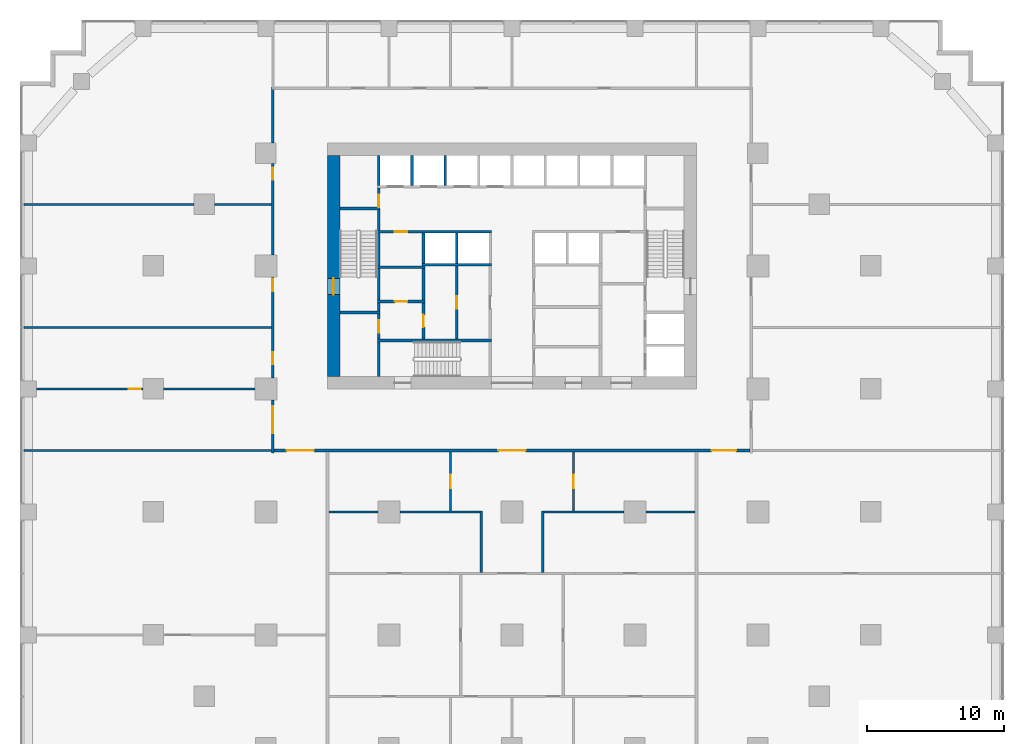
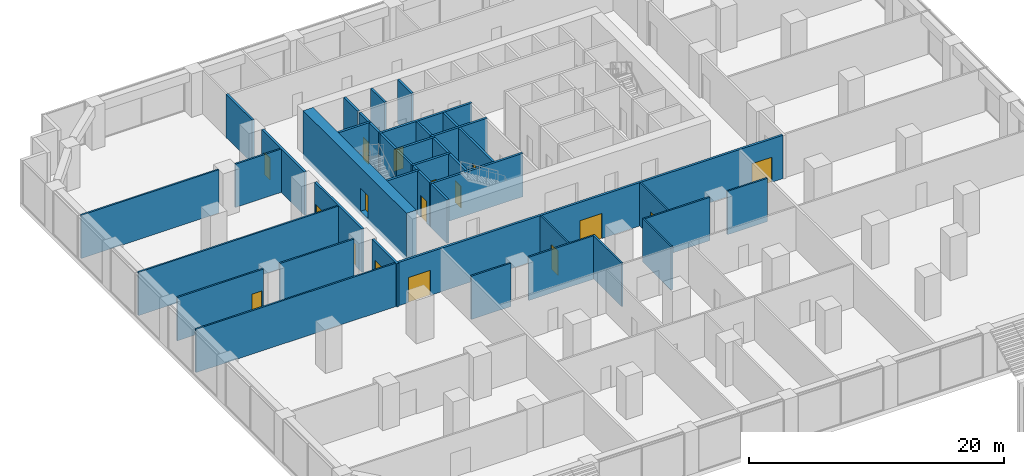
# One storey, part 13 of 18: 42 walls, 17 doors, 17 openings.
"""IFC4 building model written with IfcOpenShell, lengths in metres."""

from ifc_helpers import new_model, si_unit, direction, frame, frame_2d, origin, place, context, subcontext, project, spatial, rectangle, extrude, material, layer, layer_set, type_object, element, fill, save


model = new_model("IFC4")

# Units and contexts
model_context = context("Model", 3, precision=1e-05, world=origin(), true_north=direction((0.0, 1.0)))
body_context = subcontext(model_context, "Body", "Model", "MODEL_VIEW")
ifc_project = project(units=[si_unit("LENGTHUNIT", "METRE"), si_unit("AREAUNIT", "SQUARE_METRE"), si_unit("VOLUMEUNIT", "CUBIC_METRE"), si_unit("PLANEANGLEUNIT", "RADIAN"), si_unit("MASSUNIT", "GRAM", prefix="KILO")], contexts=[model_context])

# Site, building, storey
site_placement = place(None, origin())
site = spatial("IfcSite", under=ifc_project, at=site_placement, CompositionType="ELEMENT")
building_placement = place(site_placement, origin())
building = spatial("IfcBuilding", under=site, at=building_placement, Name="Orbiselva Terraces", CompositionType="ELEMENT")
storey_placement = place(building_placement, frame((0.0, 0.0, 6.0)))
storey = spatial("IfcBuildingStorey", under=building, at=storey_placement, Name="L01", CompositionType="ELEMENT", Elevation=6.0)

# Wall, opening, door
ifc_material_1 = material(Name="Concrete C80/95", Category="concrete")
ifc_layer_1 = layer(ifc_material_1, 0.9)
ifc_layer_set_1 = layer_set([ifc_layer_1], Name="Concrete C80/95")
wall_type_1 = type_object("IfcWallType", Name="CORE WALL 900", PredefinedType="SHEAR", material=ifc_layer_set_1)
wall_1_placement = place(storey_placement, frame((-13.05, 21.6, -0.4), z_axis=(0.0, 0.0, 1.0), x_axis=(0.0, -1.0, 0.0)))
wall_1 = element("IfcWall", 1, at=wall_1_placement, inside=storey, type_object=wall_type_1, Name="Core wall L01 west", PredefinedType="SHEAR", context=body_context, shape_type="SweptSolid", body=[
    extrude(rectangle(XDim=16.2, YDim=0.9, at=frame_2d((8.1, 0.0))), origin(), (0.0, 0.0, 1.0), 4.55),
])
opening_1_placement = place(wall_1_placement, frame((9.0, 0.0, 0.4)))
opening_1 = element("IfcOpeningElement", 2, at=opening_1_placement, cuts=wall_1, Name="Opening DS1200", PredefinedType="OPENING", context=body_context, shape_type="SweptSolid", body=[
    extrude(rectangle(XDim=1.2, YDim=2.2, at=frame_2d((0.6, 1.1))), frame((0.0, 0.46, 0.0), z_axis=(0.0, -1.0, 0.0), x_axis=(1.0, 0.0, 0.0)), (0.0, 0.0, 1.0), 0.92),
])
ifc_material_2 = material(Name="Steel fire door", Category="steel")
door_type_1 = type_object("IfcDoorType", Name="STAIR DOOR 1200", OperationType="NOTDEFINED", PredefinedType="DOOR", material=ifc_material_2)
door_1_placement = place(opening_1_placement, frame((1.2, 0.0, 0.0), z_axis=(0.0, 0.0, 1.0), x_axis=(-1.0, 0.0, 0.0)))
door_1 = element("IfcDoor", 3, at=door_1_placement, inside=storey, type_object=door_type_1, Name="L01 EXIT STAIR S1 door", OperationType="SINGLE_SWING_RIGHT", OverallHeight=2.2, OverallWidth=1.2, PredefinedType="DOOR", context=body_context, shape_type="SweptSolid", body=[
    extrude(rectangle(XDim=1.2, YDim=2.2, at=frame_2d((0.6, 1.1))), frame((0.0, 0.025, 0.0), z_axis=(0.0, -1.0, 0.0), x_axis=(1.0, 0.0, 0.0)), (0.0, 0.0, 1.0), 0.05),
])
fill(opening_1, door_1)

ifc_material_3 = material(Name="Masonry blockwork", Category="masonry")
ifc_layer_2 = layer(ifc_material_3, 0.2)
ifc_layer_set_2 = layer_set([ifc_layer_2], Name="Masonry blockwork")
wall_type_2 = type_object("IfcWallType", Name="CORE-WALL-PARTITION-200", PredefinedType="PARTITIONING", material=ifc_layer_set_2)
wall_2_placement = place(storey_placement, frame((-9.75, 8.15, 0.0), z_axis=(0.0, 0.0, 1.0), x_axis=(0.0, 1.0, 0.0)))
wall_2 = element("IfcWall", 4, at=wall_2_placement, inside=storey, type_object=wall_type_2, Name="L01 core wall 05", PredefinedType="PARTITIONING", context=body_context, shape_type="SweptSolid", body=[
    extrude(rectangle(XDim=1.85, YDim=0.2, at=frame_2d((0.925, 0.0))), origin(), (0.0, 0.0, 1.0), 4.15),
])
opening_2_placement = place(wall_2_placement, frame((0.475, 0.0, 0.0)))
opening_2 = element("IfcOpeningElement", 5, at=opening_2_placement, cuts=wall_2, Name="Opening DR900", PredefinedType="OPENING", context=body_context, shape_type="SweptSolid", body=[
    extrude(rectangle(XDim=0.9, YDim=2.1, at=frame_2d((0.45, 1.05))), frame((0.0, 0.11, 0.0), z_axis=(0.0, -1.0, 0.0), x_axis=(1.0, 0.0, 0.0)), (0.0, 0.0, 1.0), 0.22),
])
door_type_2 = type_object("IfcDoorType", Name="ROOM DOOR 900", OperationType="NOTDEFINED", PredefinedType="DOOR", material=ifc_material_2)
door_2_placement = place(opening_2_placement, origin())
door_2 = element("IfcDoor", 6, at=door_2_placement, inside=storey, type_object=door_type_2, Name="L01 STAFF WC door", OperationType="SINGLE_SWING_RIGHT", OverallHeight=2.1, OverallWidth=0.9, PredefinedType="DOOR", context=body_context, shape_type="SweptSolid", body=[
    extrude(rectangle(XDim=0.9, YDim=2.1, at=frame_2d((0.45, 1.05))), frame((0.0, 0.025, 0.0), z_axis=(0.0, -1.0, 0.0), x_axis=(1.0, 0.0, 0.0)), (0.0, 0.0, 1.0), 0.05),
])
fill(opening_2, door_2)

wall_3_placement = place(storey_placement, frame((-9.75, 17.8, 0.0), z_axis=(0.0, 0.0, 1.0), x_axis=(0.0, 1.0, 0.0)))
wall_3 = element("IfcWall", 7, at=wall_3_placement, inside=storey, type_object=wall_type_2, Name="L01 core wall 13", PredefinedType="PARTITIONING", context=body_context, shape_type="SweptSolid", body=[
    extrude(rectangle(XDim=1.4, YDim=0.2, at=frame_2d((0.7, 0.0))), origin(), (0.0, 0.0, 1.0), 4.15),
])
opening_3_placement = place(wall_3_placement, origin())
opening_3 = element("IfcOpeningElement", 8, at=opening_3_placement, cuts=wall_3, Name="Opening DR900", PredefinedType="OPENING", context=body_context, shape_type="SweptSolid", body=[
    extrude(rectangle(XDim=0.9, YDim=2.1, at=frame_2d((0.45, 1.05))), frame((0.0, 0.11, 0.0), z_axis=(0.0, -1.0, 0.0), x_axis=(1.0, 0.0, 0.0)), (0.0, 0.0, 1.0), 0.22),
])
door_3_placement = place(opening_3_placement, origin())
door_3 = element("IfcDoor", 9, at=door_3_placement, inside=storey, type_object=door_type_2, Name="L01 COMMS RISER ROOM door", OperationType="SINGLE_SWING_LEFT", OverallHeight=2.1, OverallWidth=0.9, PredefinedType="DOOR", context=body_context, shape_type="SweptSolid", body=[
    extrude(rectangle(XDim=0.9, YDim=2.1, at=frame_2d((0.45, 1.05))), frame((0.0, 0.025, 0.0), z_axis=(0.0, -1.0, 0.0), x_axis=(1.0, 0.0, 0.0)), (0.0, 0.0, 1.0), 0.05),
])
fill(opening_3, door_3)

wall_4_placement = place(storey_placement, frame((-6.475, 8.15, 0.0), z_axis=(0.0, 0.0, 1.0), x_axis=(0.0, 1.0, 0.0)))
wall_4 = element("IfcWall", 10, at=wall_4_placement, inside=storey, type_object=wall_type_2, Name="L01 core wall 17", PredefinedType="PARTITIONING", context=body_context, shape_type="SweptSolid", body=[
    extrude(rectangle(XDim=2.65, YDim=0.2, at=frame_2d((1.325, 0.0))), origin(), (0.0, 0.0, 1.0), 4.15),
])
opening_4_placement = place(wall_4_placement, frame((0.875, 0.0, 0.0)))
opening_4 = element("IfcOpeningElement", 11, at=opening_4_placement, cuts=wall_4, Name="Opening DR900", PredefinedType="OPENING", context=body_context, shape_type="SweptSolid", body=[
    extrude(rectangle(XDim=0.9, YDim=2.1, at=frame_2d((0.45, 1.05))), frame((0.0, 0.11, 0.0), z_axis=(0.0, -1.0, 0.0), x_axis=(1.0, 0.0, 0.0)), (0.0, 0.0, 1.0), 0.22),
])
door_4_placement = place(opening_4_placement, origin())
door_4 = element("IfcDoor", 12, at=door_4_placement, inside=storey, type_object=door_type_2, Name="L01 UNIFORM STORE door", OperationType="SINGLE_SWING_LEFT", OverallHeight=2.1, OverallWidth=0.9, PredefinedType="DOOR", context=body_context, shape_type="SweptSolid", body=[
    extrude(rectangle(XDim=0.9, YDim=2.1, at=frame_2d((0.45, 1.05))), frame((0.0, 0.025, 0.0), z_axis=(0.0, -1.0, 0.0), x_axis=(1.0, 0.0, 0.0)), (0.0, 0.0, 1.0), 0.05),
])
fill(opening_4, door_4)

# Wall
wall_5_placement = place(storey_placement, frame((-6.475, 11.0, 0.0), z_axis=(0.0, 0.0, 1.0), x_axis=(0.0, 1.0, 0.0)))
element("IfcWall", 13, at=wall_5_placement, inside=storey, type_object=wall_type_2, Name="L01 core wall 18", PredefinedType="PARTITIONING", context=body_context, shape_type="SweptSolid", body=[
    extrude(rectangle(XDim=2.3, YDim=0.2, at=frame_2d((1.15, 0.0))), origin(), (0.0, 0.0, 1.0), 4.15),
])

# Wall, opening, door
wall_6_placement = place(storey_placement, frame((-4.0375, 8.15, 0.0), z_axis=(0.0, 0.0, 1.0), x_axis=(0.0, 1.0, 0.0)))
wall_6 = element("IfcWall", 14, at=wall_6_placement, inside=storey, type_object=wall_type_2, Name="L01 core wall 22", PredefinedType="PARTITIONING", context=body_context, shape_type="SweptSolid", body=[
    extrude(rectangle(XDim=5.35, YDim=0.2, at=frame_2d((2.675, 0.0))), origin(), (0.0, 0.0, 1.0), 4.15),
])
opening_5_placement = place(wall_6_placement, frame((2.225, 0.0, 0.0)))
opening_5 = element("IfcOpeningElement", 15, at=opening_5_placement, cuts=wall_6, Name="Opening DR900", PredefinedType="OPENING", context=body_context, shape_type="SweptSolid", body=[
    extrude(rectangle(XDim=0.9, YDim=2.1, at=frame_2d((0.45, 1.05))), frame((0.0, 0.11, 0.0), z_axis=(0.0, -1.0, 0.0), x_axis=(1.0, 0.0, 0.0)), (0.0, 0.0, 1.0), 0.22),
])
door_5_placement = place(opening_5_placement, origin())
door_5 = element("IfcDoor", 16, at=door_5_placement, inside=storey, type_object=door_type_2, Name="L01 BUILDING STORE door", OperationType="SINGLE_SWING_RIGHT", OverallHeight=2.1, OverallWidth=0.9, PredefinedType="DOOR", context=body_context, shape_type="SweptSolid", body=[
    extrude(rectangle(XDim=0.9, YDim=2.1, at=frame_2d((0.45, 1.05))), frame((0.0, 0.025, 0.0), z_axis=(0.0, -1.0, 0.0), x_axis=(1.0, 0.0, 0.0)), (0.0, 0.0, 1.0), 0.05),
])
fill(opening_5, door_5)

# Walls
ifc_material_4 = material(Name="Concrete C40/50", Category="concrete")
ifc_layer_3 = layer(ifc_material_4, 0.2)
ifc_layer_set_3 = layer_set([ifc_layer_3], Name="Concrete C40/50")
wall_type_3 = type_object("IfcWallType", Name="CORE-WALL-SHAFT-200", PredefinedType="PARTITIONING", material=ifc_layer_set_3)
for number, where, z_axis, x_axis, name in (
    (17, (-9.75, 19.4, 0.0), (0.0, 0.0, 1.0), (0.0, 1.0, 0.0), "L01 core wall 15"),
    (18, (-7.3125, 19.4, 0.0), (0.0, 0.0, 1.0), (0.0, 1.0, 0.0), "L01 core wall 16"),
    (19, (-6.475, 13.7, 0.0), (0.0, 0.0, 1.0), (0.0, 1.0, 0.0), "L01 core wall 20"),
    (20, (-4.875, 19.4, 0.0), (0.0, 0.0, 1.0), (0.0, 1.0, 0.0), "L01 core wall 21"),
    (21, (-4.0375, 13.7, 0.0), (0.0, 0.0, 1.0), (0.0, 1.0, 0.0), "L01 core wall 23"),
):
    element("IfcWall", number, at=place(storey_placement, frame(where, z_axis=z_axis, x_axis=x_axis)), inside=storey, type_object=wall_type_3, Name=name, PredefinedType="PARTITIONING", context=body_context, shape_type="SweptSolid", body=[
        extrude(rectangle(XDim=2.2, YDim=0.2, at=frame_2d((1.1, 0.0))), origin(), (0.0, 0.0, 1.0), 4.15),
    ])
ifc_material_5 = material(Name="Concrete C60/75", Category="concrete")
ifc_layer_4 = layer(ifc_material_5, 0.2)
ifc_layer_set_4 = layer_set([ifc_layer_4], Name="Concrete C60/75")
wall_type_4 = type_object("IfcWallType", Name="CORE-WALL-SHEAR-200", PredefinedType="SHEAR", material=ifc_layer_set_4)
for number, where, z_axis, x_axis, name in (
    (22, (-12.6, 10.1, 0.0), (0.0, 0.0, 1.0), (1.0, 0.0, 0.0), "L01 core wall 01"),
    (23, (-12.6, 17.7, 0.0), (0.0, 0.0, 1.0), (1.0, 0.0, 0.0), "L01 core wall 02"),
):
    element("IfcWall", number, at=place(storey_placement, frame(where, z_axis=z_axis, x_axis=x_axis)), inside=storey, type_object=wall_type_4, Name=name, PredefinedType="SHEAR", context=body_context, shape_type="SweptSolid", body=[
        extrude(rectangle(XDim=2.95, YDim=0.2, at=frame_2d((1.475, 0.0))), origin(), (0.0, 0.0, 1.0), 4.15),
    ])
wall_7_placement = place(storey_placement, frame((-9.75, 5.4, 0.0), z_axis=(0.0, 0.0, 1.0), x_axis=(0.0, 1.0, 0.0)))
element("IfcWall", 24, at=wall_7_placement, inside=storey, type_object=wall_type_4, Name="L01 core wall 03", PredefinedType="SHEAR", context=body_context, shape_type="SweptSolid", body=[
    extrude(rectangle(XDim=2.55, YDim=0.2, at=frame_2d((1.275, 0.0))), origin(), (0.0, 0.0, 1.0), 4.15),
])
wall_8_placement = place(storey_placement, frame((-9.85, 8.05, 0.0), z_axis=(0.0, 0.0, 1.0), x_axis=(1.0, 0.0, 0.0)))
element("IfcWall", 25, at=wall_8_placement, inside=storey, type_object=wall_type_4, Name="L01 core wall 04", PredefinedType="SHEAR", context=body_context, shape_type="SweptSolid", body=[
    extrude(rectangle(XDim=8.35, YDim=0.2, at=frame_2d((4.175, 0.0))), origin(), (0.0, 0.0, 1.0), 4.15),
])
wall_9_placement = place(storey_placement, frame((-9.75, 10.2, 0.0), z_axis=(0.0, 0.0, 1.0), x_axis=(0.0, 1.0, 0.0)))
element("IfcWall", 26, at=wall_9_placement, inside=storey, type_object=wall_type_4, Name="L01 core wall 06", PredefinedType="SHEAR", context=body_context, shape_type="SweptSolid", body=[
    extrude(rectangle(XDim=0.6, YDim=0.2, at=frame_2d((0.3, 0.0))), origin(), (0.0, 0.0, 1.0), 4.15),
])

# Wall, opening, door
wall_10_placement = place(storey_placement, frame((-9.85, 10.9, 0.0), z_axis=(0.0, 0.0, 1.0), x_axis=(1.0, 0.0, 0.0)))
wall_10 = element("IfcWall", 27, at=wall_10_placement, inside=storey, type_object=wall_type_4, Name="L01 core wall 07", PredefinedType="SHEAR", context=body_context, shape_type="SweptSolid", body=[
    extrude(rectangle(XDim=3.475, YDim=0.2, at=frame_2d((1.7375, 0.0))), origin(), (0.0, 0.0, 1.0), 4.15),
])
opening_6_placement = place(wall_10_placement, frame((1.2875, 0.0, 0.0)))
opening_6 = element("IfcOpeningElement", 28, at=opening_6_placement, cuts=wall_10, Name="Opening DR900", PredefinedType="OPENING", context=body_context, shape_type="SweptSolid", body=[
    extrude(rectangle(XDim=0.9, YDim=2.1, at=frame_2d((0.45, 1.05))), frame((0.0, 0.11, 0.0), z_axis=(0.0, -1.0, 0.0), x_axis=(1.0, 0.0, 0.0)), (0.0, 0.0, 1.0), 0.22),
])
door_6_placement = place(opening_6_placement, origin())
door_6 = element("IfcDoor", 29, at=door_6_placement, inside=storey, type_object=door_type_2, Name="L01 LAUNDRY ROOM door", OperationType="SINGLE_SWING_RIGHT", OverallHeight=2.1, OverallWidth=0.9, PredefinedType="DOOR", context=body_context, shape_type="SweptSolid", body=[
    extrude(rectangle(XDim=0.9, YDim=2.1, at=frame_2d((0.45, 1.05))), frame((0.0, 0.025, 0.0), z_axis=(0.0, -1.0, 0.0), x_axis=(1.0, 0.0, 0.0)), (0.0, 0.0, 1.0), 0.05),
])
fill(opening_6, door_6)

# Walls
wall_11_placement = place(storey_placement, frame((-9.75, 11.0, 0.0), z_axis=(0.0, 0.0, 1.0), x_axis=(0.0, 1.0, 0.0)))
element("IfcWall", 30, at=wall_11_placement, inside=storey, type_object=wall_type_4, Name="L01 core wall 08", PredefinedType="SHEAR", context=body_context, shape_type="SweptSolid", body=[
    extrude(rectangle(XDim=2.3, YDim=0.2, at=frame_2d((1.15, 0.0))), origin(), (0.0, 0.0, 1.0), 4.15),
])
wall_12_placement = place(storey_placement, frame((-9.85, 13.4, 0.0), z_axis=(0.0, 0.0, 1.0), x_axis=(1.0, 0.0, 0.0)))
element("IfcWall", 31, at=wall_12_placement, inside=storey, type_object=wall_type_4, Name="L01 core wall 09", PredefinedType="SHEAR", context=body_context, shape_type="SweptSolid", body=[
    extrude(rectangle(XDim=3.475, YDim=0.2, at=frame_2d((1.7375, 0.0))), origin(), (0.0, 0.0, 1.0), 4.15),
])
wall_13_placement = place(storey_placement, frame((-9.75, 13.5, 0.0), z_axis=(0.0, 0.0, 1.0), x_axis=(0.0, 1.0, 0.0)))
element("IfcWall", 32, at=wall_13_placement, inside=storey, type_object=wall_type_4, Name="L01 core wall 10", PredefinedType="SHEAR", context=body_context, shape_type="SweptSolid", body=[
    extrude(rectangle(XDim=2.4, YDim=0.2, at=frame_2d((1.2, 0.0))), origin(), (0.0, 0.0, 1.0), 4.15),
])

# Wall, opening, door
wall_14_placement = place(storey_placement, frame((-1.5, 16.0, 0.0), z_axis=(0.0, 0.0, 1.0), x_axis=(-1.0, 0.0, 0.0)))
wall_14 = element("IfcWall", 33, at=wall_14_placement, inside=storey, type_object=wall_type_4, Name="L01 core wall 11", PredefinedType="SHEAR", context=body_context, shape_type="SweptSolid", body=[
    extrude(rectangle(XDim=8.35, YDim=0.2, at=frame_2d((4.175, 0.0))), origin(), (0.0, 0.0, 1.0), 4.15),
])
opening_7_placement = place(wall_14_placement, frame((6.1625, 0.0, 0.0)))
opening_7 = element("IfcOpeningElement", 34, at=opening_7_placement, cuts=wall_14, Name="Opening DR900", PredefinedType="OPENING", context=body_context, shape_type="SweptSolid", body=[
    extrude(rectangle(XDim=0.9, YDim=2.1, at=frame_2d((0.45, 1.05))), frame((0.0, 0.11, 0.0), z_axis=(0.0, -1.0, 0.0), x_axis=(1.0, 0.0, 0.0)), (0.0, 0.0, 1.0), 0.22),
])
door_7_placement = place(opening_7_placement, origin())
door_7 = element("IfcDoor", 35, at=door_7_placement, inside=storey, type_object=door_type_2, Name="L01 STAFF PANTRY door", OperationType="SINGLE_SWING_RIGHT", OverallHeight=2.1, OverallWidth=0.9, PredefinedType="DOOR", context=body_context, shape_type="SweptSolid", body=[
    extrude(rectangle(XDim=0.9, YDim=2.1, at=frame_2d((0.45, 1.05))), frame((0.0, 0.025, 0.0), z_axis=(0.0, -1.0, 0.0), x_axis=(1.0, 0.0, 0.0)), (0.0, 0.0, 1.0), 0.05),
])
fill(opening_7, door_7)

# Walls
wall_15_placement = place(storey_placement, frame((-9.75, 16.1, 0.0), z_axis=(0.0, 0.0, 1.0), x_axis=(0.0, 1.0, 0.0)))
element("IfcWall", 36, at=wall_15_placement, inside=storey, type_object=wall_type_4, Name="L01 core wall 12", PredefinedType="SHEAR", context=body_context, shape_type="SweptSolid", body=[
    extrude(rectangle(XDim=1.5, YDim=0.2, at=frame_2d((0.75, 0.0))), origin(), (0.0, 0.0, 1.0), 4.15),
])
wall_16_placement = place(storey_placement, frame((-6.575, 13.6, 0.0), z_axis=(0.0, 0.0, 1.0), x_axis=(1.0, 0.0, 0.0)))
element("IfcWall", 37, at=wall_16_placement, inside=storey, type_object=wall_type_4, Name="L01 core wall 19", PredefinedType="SHEAR", context=body_context, shape_type="SweptSolid", body=[
    extrude(rectangle(XDim=5.075, YDim=0.2, at=frame_2d((2.5375, 0.0))), origin(), (0.0, 0.0, 1.0), 4.15),
])

# Wall, openings, doors
ifc_material_6 = material(Name="Plasterboard on steel stud partition", Category="steel")
ifc_layer_5 = layer(ifc_material_6, 0.2)
ifc_layer_set_5 = layer_set([ifc_layer_5], Name="Plasterboard on steel stud partition")
wall_type_5 = type_object("IfcWallType", Name="UNIT-ENTRANCE-WALL-200", PredefinedType="PARTITIONING", material=ifc_layer_set_5)
wall_17_placement = place(storey_placement, frame((-17.4, 0.0, 0.0), z_axis=(0.0, 0.0, 1.0), x_axis=(1.0, 0.0, 0.0)))
wall_17 = element("IfcWall", 38, at=wall_17_placement, inside=storey, type_object=wall_type_5, Name="PARTITION L01-015", PredefinedType="PARTITIONING", context=body_context, shape_type="SweptSolid", body=[
    extrude(rectangle(XDim=34.8, YDim=0.2, at=frame_2d((17.4, 0.0))), origin(), (0.0, 0.0, 1.0), 4.15),
])
opening_8_placement = place(wall_17_placement, frame((0.9, 0.0, 0.0)))
opening_8 = element("IfcOpeningElement", 39, at=opening_8_placement, cuts=wall_17, Name="Opening PODIUM-AMENITY-03", PredefinedType="OPENING", context=body_context, shape_type="SweptSolid", body=[
    extrude(rectangle(XDim=2.0, YDim=2.4, at=frame_2d((1.0, 1.2))), frame((0.0, 0.11, 0.0), z_axis=(0.0, -1.0, 0.0), x_axis=(1.0, 0.0, 0.0)), (0.0, 0.0, 1.0), 0.22),
])
opening_9_placement = place(wall_17_placement, frame((16.4, 0.0, 0.0)))
opening_9 = element("IfcOpeningElement", 40, at=opening_9_placement, cuts=wall_17, Name="Opening PODIUM-AMENITY-04", PredefinedType="OPENING", context=body_context, shape_type="SweptSolid", body=[
    extrude(rectangle(XDim=2.0, YDim=2.4, at=frame_2d((1.0, 1.2))), frame((0.0, 0.11, 0.0), z_axis=(0.0, -1.0, 0.0), x_axis=(1.0, 0.0, 0.0)), (0.0, 0.0, 1.0), 0.22),
])
opening_10_placement = place(wall_17_placement, frame((32.0, 0.0, 0.0)))
opening_10 = element("IfcOpeningElement", 41, at=opening_10_placement, cuts=wall_17, Name="Opening PODIUM-AMENITY-05", PredefinedType="OPENING", context=body_context, shape_type="SweptSolid", body=[
    extrude(rectangle(XDim=1.8, YDim=2.4, at=frame_2d((0.9, 1.2))), frame((0.0, 0.11, 0.0), z_axis=(0.0, -1.0, 0.0), x_axis=(1.0, 0.0, 0.0)), (0.0, 0.0, 1.0), 0.22),
])
ifc_material_7 = material(Name="Painted timber door leaf", Category="wood")
door_type_3 = type_object("IfcDoorType", Name="AMENITY DOUBLE DOOR 2000", OperationType="NOTDEFINED", PredefinedType="DOOR", material=ifc_material_7)
door_8_placement = place(opening_8_placement, origin())
door_8 = element("IfcDoor", 42, at=door_8_placement, inside=storey, type_object=door_type_3, Name="PODIUM-AMENITY-03", OperationType="DOUBLE_DOOR_SINGLE_SWING", OverallHeight=2.4, OverallWidth=2.0, PredefinedType="DOOR", context=body_context, shape_type="SweptSolid", body=[
    extrude(rectangle(XDim=2.0, YDim=2.4, at=frame_2d((1.0, 1.2))), frame((0.0, 0.025, 0.0), z_axis=(0.0, -1.0, 0.0), x_axis=(1.0, 0.0, 0.0)), (0.0, 0.0, 1.0), 0.05),
])
fill(opening_8, door_8)
door_9_placement = place(opening_9_placement, origin())
door_9 = element("IfcDoor", 43, at=door_9_placement, inside=storey, type_object=door_type_3, Name="PODIUM-AMENITY-04", OperationType="DOUBLE_DOOR_SINGLE_SWING", OverallHeight=2.4, OverallWidth=2.0, PredefinedType="DOOR", context=body_context, shape_type="SweptSolid", body=[
    extrude(rectangle(XDim=2.0, YDim=2.4, at=frame_2d((1.0, 1.2))), frame((0.0, 0.025, 0.0), z_axis=(0.0, -1.0, 0.0), x_axis=(1.0, 0.0, 0.0)), (0.0, 0.0, 1.0), 0.05),
])
fill(opening_9, door_9)
door_type_4 = type_object("IfcDoorType", Name="DOUBLE DOOR 1800", OperationType="NOTDEFINED", PredefinedType="DOOR", material=ifc_material_7)
door_10_placement = place(opening_10_placement, origin())
door_10 = element("IfcDoor", 44, at=door_10_placement, inside=storey, type_object=door_type_4, Name="PODIUM-AMENITY-05", OperationType="DOUBLE_DOOR_SINGLE_SWING", OverallHeight=2.4, OverallWidth=1.8, PredefinedType="DOOR", context=body_context, shape_type="SweptSolid", body=[
    extrude(rectangle(XDim=1.8, YDim=2.4, at=frame_2d((0.9, 1.2))), frame((0.0, 0.025, 0.0), z_axis=(0.0, -1.0, 0.0), x_axis=(1.0, 0.0, 0.0)), (0.0, 0.0, 1.0), 0.05),
])
fill(opening_10, door_10)

# Wall, opening, door
wall_18_placement = place(storey_placement, frame((-17.5, 3.7, 0.0), z_axis=(0.0, 0.0, 1.0), x_axis=(0.0, -1.0, 0.0)))
wall_18 = element("IfcWall", 45, at=wall_18_placement, inside=storey, type_object=wall_type_5, Name="PARTITION L01-027", PredefinedType="PARTITIONING", context=body_context, shape_type="SweptSolid", body=[
    extrude(rectangle(XDim=3.875, YDim=0.2, at=frame_2d((1.9375, 0.0))), origin(), (0.0, 0.0, 1.0), 4.15),
])
opening_11_placement = place(wall_18_placement, frame((0.45, 0.0, 0.0)))
opening_11 = element("IfcOpeningElement", 46, at=opening_11_placement, cuts=wall_18, Name="Opening PODIUM-AMENITY-01", PredefinedType="OPENING", context=body_context, shape_type="SweptSolid", body=[
    extrude(rectangle(XDim=2.0, YDim=2.4, at=frame_2d((1.0, 1.2))), frame((0.0, 0.11, 0.0), z_axis=(0.0, -1.0, 0.0), x_axis=(1.0, 0.0, 0.0)), (0.0, 0.0, 1.0), 0.22),
])
door_11_placement = place(opening_11_placement, origin())
door_11 = element("IfcDoor", 47, at=door_11_placement, inside=storey, type_object=door_type_3, Name="PODIUM-AMENITY-01", OperationType="DOUBLE_DOOR_SINGLE_SWING", OverallHeight=2.4, OverallWidth=2.0, PredefinedType="DOOR", context=body_context, shape_type="SweptSolid", body=[
    extrude(rectangle(XDim=2.0, YDim=2.4, at=frame_2d((1.0, 1.2))), frame((0.0, 0.025, 0.0), z_axis=(0.0, -1.0, 0.0), x_axis=(1.0, 0.0, 0.0)), (0.0, 0.0, 1.0), 0.05),
])
fill(opening_11, door_11)

# Wall, openings, doors
wall_19_placement = place(storey_placement, frame((-17.5, 12.7, 0.0), z_axis=(0.0, 0.0, 1.0), x_axis=(0.0, -1.0, 0.0)))
wall_19 = element("IfcWall", 48, at=wall_19_placement, inside=storey, type_object=wall_type_5, Name="PARTITION L01-028", PredefinedType="PARTITIONING", context=body_context, shape_type="SweptSolid", body=[
    extrude(rectangle(XDim=7.4, YDim=0.2, at=frame_2d((3.7, 0.0))), origin(), (0.0, 0.0, 1.0), 4.15),
])
opening_12_placement = place(wall_19_placement, frame((5.5, 0.0, 0.0)))
opening_12 = element("IfcOpeningElement", 49, at=opening_12_placement, cuts=wall_19, Name="Opening PODIUM-AMENITY-06", PredefinedType="OPENING", context=body_context, shape_type="SweptSolid", body=[
    extrude(rectangle(XDim=0.9, YDim=2.1, at=frame_2d((0.45, 1.05))), frame((0.0, 0.11, 0.0), z_axis=(0.0, -1.0, 0.0), x_axis=(1.0, 0.0, 0.0)), (0.0, 0.0, 1.0), 0.22),
])
opening_13_placement = place(wall_19_placement, frame((0.15, 0.0, 0.0)))
opening_13 = element("IfcOpeningElement", 50, at=opening_13_placement, cuts=wall_19, Name="Opening PODIUM-AMENITY-07", PredefinedType="OPENING", context=body_context, shape_type="SweptSolid", body=[
    extrude(rectangle(XDim=0.9, YDim=2.1, at=frame_2d((0.45, 1.05))), frame((0.0, 0.11, 0.0), z_axis=(0.0, -1.0, 0.0), x_axis=(1.0, 0.0, 0.0)), (0.0, 0.0, 1.0), 0.22),
])
door_type_5 = type_object("IfcDoorType", Name="SERVICE DOOR 900", OperationType="NOTDEFINED", PredefinedType="DOOR", material=ifc_material_7)
door_12_placement = place(opening_12_placement, origin())
door_12 = element("IfcDoor", 51, at=door_12_placement, inside=storey, type_object=door_type_5, Name="PODIUM-AMENITY-06", OperationType="SINGLE_SWING_RIGHT", OverallHeight=2.1, OverallWidth=0.9, PredefinedType="DOOR", context=body_context, shape_type="SweptSolid", body=[
    extrude(rectangle(XDim=0.9, YDim=2.1, at=frame_2d((0.45, 1.05))), frame((0.0, 0.025, 0.0), z_axis=(0.0, -1.0, 0.0), x_axis=(1.0, 0.0, 0.0)), (0.0, 0.0, 1.0), 0.05),
])
fill(opening_12, door_12)
door_13_placement = place(opening_13_placement, origin())
door_13 = element("IfcDoor", 52, at=door_13_placement, inside=storey, type_object=door_type_5, Name="PODIUM-AMENITY-07", OperationType="SINGLE_SWING_LEFT", OverallHeight=2.1, OverallWidth=0.9, PredefinedType="DOOR", context=body_context, shape_type="SweptSolid", body=[
    extrude(rectangle(XDim=0.9, YDim=2.1, at=frame_2d((0.45, 1.05))), frame((0.0, 0.025, 0.0), z_axis=(0.0, -1.0, 0.0), x_axis=(1.0, 0.0, 0.0)), (0.0, 0.0, 1.0), 0.05),
])
fill(opening_13, door_13)

# Wall, opening, door
wall_20_placement = place(storey_placement, frame((-17.5, 21.0, 0.0), z_axis=(0.0, 0.0, 1.0), x_axis=(0.0, -1.0, 0.0)))
wall_20 = element("IfcWall", 53, at=wall_20_placement, inside=storey, type_object=wall_type_5, Name="PARTITION L01-029", PredefinedType="PARTITIONING", context=body_context, shape_type="SweptSolid", body=[
    extrude(rectangle(XDim=6.7, YDim=0.2, at=frame_2d((3.35, 0.0))), origin(), (0.0, 0.0, 1.0), 4.15),
])
opening_14_placement = place(wall_20_placement, frame((0.3, 0.0, 0.0)))
opening_14 = element("IfcOpeningElement", 54, at=opening_14_placement, cuts=wall_20, Name="Opening PODIUM-AMENITY-08", PredefinedType="OPENING", context=body_context, shape_type="SweptSolid", body=[
    extrude(rectangle(XDim=0.9, YDim=2.1, at=frame_2d((0.45, 1.05))), frame((0.0, 0.11, 0.0), z_axis=(0.0, -1.0, 0.0), x_axis=(1.0, 0.0, 0.0)), (0.0, 0.0, 1.0), 0.22),
])
door_14_placement = place(opening_14_placement, origin())
door_14 = element("IfcDoor", 55, at=door_14_placement, inside=storey, type_object=door_type_5, Name="PODIUM-AMENITY-08", OperationType="SINGLE_SWING_LEFT", OverallHeight=2.1, OverallWidth=0.9, PredefinedType="DOOR", context=body_context, shape_type="SweptSolid", body=[
    extrude(rectangle(XDim=0.9, YDim=2.1, at=frame_2d((0.45, 1.05))), frame((0.0, 0.025, 0.0), z_axis=(0.0, -1.0, 0.0), x_axis=(1.0, 0.0, 0.0)), (0.0, 0.0, 1.0), 0.05),
])
fill(opening_14, door_14)

# Walls
wall_21_placement = place(storey_placement, frame((-17.5, 22.5, 0.0), z_axis=(0.0, 0.0, 1.0), x_axis=(0.0, 1.0, 0.0)))
element("IfcWall", 56, at=wall_21_placement, inside=storey, type_object=wall_type_5, Name="PARTITION L01-030", PredefinedType="PARTITIONING", context=body_context, shape_type="SweptSolid", body=[
    extrude(rectangle(XDim=4.1, YDim=0.2, at=frame_2d((2.05, 0.0))), origin(), (0.0, 0.0, 1.0), 4.15),
])
ifc_layer_6 = layer(ifc_material_6, 0.15)
ifc_layer_set_6 = layer_set([ifc_layer_6], Name="Plasterboard on steel stud partition")
wall_type_6 = type_object("IfcWallType", Name="UNIT-PARTITION-150", PredefinedType="PARTITIONING", material=ifc_layer_set_6)
wall_22_placement = place(storey_placement, frame((-13.4, -4.5, 0.0), z_axis=(0.0, 0.0, 1.0), x_axis=(1.0, 0.0, 0.0)))
element("IfcWall", 57, at=wall_22_placement, inside=storey, type_object=wall_type_6, Name="PARTITION L01-011", PredefinedType="PARTITIONING", context=body_context, shape_type="SweptSolid", body=[
    extrude(rectangle(XDim=3.6, YDim=0.15, at=frame_2d((1.8, 0.0))), origin(), (0.0, 0.0, 1.0), 4.15),
])
for number, where, z_axis, x_axis, name in (
    (58, (-8.2, -4.5, 0.0), (0.0, 0.0, 1.0), (1.0, 0.0, 0.0), "PARTITION L01-012"),
    (59, (2.325, -4.5, 0.0), (0.0, 0.0, 1.0), (1.0, 0.0, 0.0), "PARTITION L01-013"),
):
    element("IfcWall", number, at=place(storey_placement, frame(where, z_axis=z_axis, x_axis=x_axis)), inside=storey, type_object=wall_type_6, Name=name, PredefinedType="PARTITIONING", context=body_context, shape_type="SweptSolid", body=[
        extrude(rectangle(XDim=5.875, YDim=0.15, at=frame_2d((2.9375, 0.0))), origin(), (0.0, 0.0, 1.0), 4.15),
    ])
wall_23_placement = place(storey_placement, frame((9.8, -4.5, 0.0), z_axis=(0.0, 0.0, 1.0), x_axis=(1.0, 0.0, 0.0)))
element("IfcWall", 60, at=wall_23_placement, inside=storey, type_object=wall_type_6, Name="PARTITION L01-014", PredefinedType="PARTITIONING", context=body_context, shape_type="SweptSolid", body=[
    extrude(rectangle(XDim=3.6, YDim=0.15, at=frame_2d((1.8, 0.0))), origin(), (0.0, 0.0, 1.0), 4.15),
])
wall_24_placement = place(storey_placement, frame((-35.7, 0.0, 0.0), z_axis=(0.0, 0.0, 1.0), x_axis=(1.0, 0.0, 0.0)))
element("IfcWall", 61, at=wall_24_placement, inside=storey, type_object=wall_type_6, Name="PARTITION L01-016", PredefinedType="PARTITIONING", context=body_context, shape_type="SweptSolid", body=[
    extrude(rectangle(XDim=18.1, YDim=0.15, at=frame_2d((9.05, 0.0))), origin(), (0.0, 0.0, 1.0), 4.15),
])
wall_25_placement = place(storey_placement, frame((-25.5, 4.5, 0.0), z_axis=(0.0, 0.0, 1.0), x_axis=(1.0, 0.0, 0.0)))
element("IfcWall", 62, at=wall_25_placement, inside=storey, type_object=wall_type_6, Name="PARTITION L01-019", PredefinedType="PARTITIONING", context=body_context, shape_type="SweptSolid", body=[
    extrude(rectangle(XDim=6.7, YDim=0.15, at=frame_2d((3.35, 0.0))), origin(), (0.0, 0.0, 1.0), 4.15),
])
wall_26_placement = place(storey_placement, frame((-35.7, 9.0, 0.0), z_axis=(0.0, 0.0, 1.0), x_axis=(1.0, 0.0, 0.0)))
element("IfcWall", 63, at=wall_26_placement, inside=storey, type_object=wall_type_6, Name="PARTITION L01-020", PredefinedType="PARTITIONING", context=body_context, shape_type="SweptSolid", body=[
    extrude(rectangle(XDim=18.1, YDim=0.15, at=frame_2d((9.05, 0.0))), origin(), (0.0, 0.0, 1.0), 4.15),
])
wall_27_placement = place(storey_placement, frame((-35.7, 18.0, 0.0), z_axis=(0.0, 0.0, 1.0), x_axis=(1.0, 0.0, 0.0)))
element("IfcWall", 64, at=wall_27_placement, inside=storey, type_object=wall_type_6, Name="PARTITION L01-022", PredefinedType="PARTITIONING", context=body_context, shape_type="SweptSolid", body=[
    extrude(rectangle(XDim=12.45, YDim=0.15, at=frame_2d((6.225, 0.0))), origin(), (0.0, 0.0, 1.0), 4.15),
])
wall_28_placement = place(storey_placement, frame((-21.75, 18.0, 0.0), z_axis=(0.0, 0.0, 1.0), x_axis=(1.0, 0.0, 0.0)))
element("IfcWall", 65, at=wall_28_placement, inside=storey, type_object=wall_type_6, Name="PARTITION L01-023", PredefinedType="PARTITIONING", context=body_context, shape_type="SweptSolid", body=[
    extrude(rectangle(XDim=4.15, YDim=0.15, at=frame_2d((2.075, 0.0))), origin(), (0.0, 0.0, 1.0), 4.15),
])
for number, where, z_axis, x_axis, name in (
    (66, (-2.25, -8.925, 0.0), (0.0, 0.0, 1.0), (0.0, 1.0, 0.0), "PARTITION L01-039"),
    (67, (2.25, -8.925, 0.0), (0.0, 0.0, 1.0), (0.0, 1.0, 0.0), "PARTITION L01-043"),
):
    element("IfcWall", number, at=place(storey_placement, frame(where, z_axis=z_axis, x_axis=x_axis)), inside=storey, type_object=wall_type_6, Name=name, PredefinedType="PARTITIONING", context=body_context, shape_type="SweptSolid", body=[
        extrude(rectangle(XDim=4.5, YDim=0.15, at=frame_2d((2.25, 0.0))), origin(), (0.0, 0.0, 1.0), 4.15),
    ])

# Wall, opening, door
ifc_layer_7 = layer(ifc_material_6, 0.15)
ifc_layer_set_7 = layer_set([ifc_layer_7], Name="Plasterboard on steel stud partition")
wall_type_7 = type_object("IfcWallType", Name="UNIT-PARTITION-FR-150", PredefinedType="PARTITIONING", material=ifc_layer_set_7)
wall_29_placement = place(storey_placement, frame((-27.0, 4.5, 0.0), z_axis=(0.0, 0.0, 1.0), x_axis=(-1.0, 0.0, 0.0)))
wall_29 = element("IfcWall", 68, at=wall_29_placement, inside=storey, type_object=wall_type_7, Name="PARTITION L01-018", PredefinedType="PARTITIONING", context=body_context, shape_type="SweptSolid", body=[
    extrude(rectangle(XDim=7.8, YDim=0.15, at=frame_2d((3.9, 0.0))), origin(), (0.0, 0.0, 1.0), 4.15),
])
opening_15_placement = place(wall_29_placement, frame((0.15, 0.0, 0.0)))
opening_15 = element("IfcOpeningElement", 69, at=opening_15_placement, cuts=wall_29, Name="Opening PODIUM-AMENITY-15", PredefinedType="OPENING", context=body_context, shape_type="SweptSolid", body=[
    extrude(rectangle(XDim=0.9, YDim=2.1, at=frame_2d((0.45, 1.05))), frame((0.0, 0.085, 0.0), z_axis=(0.0, -1.0, 0.0), x_axis=(1.0, 0.0, 0.0)), (0.0, 0.0, 1.0), 0.17),
])
door_15_placement = place(opening_15_placement, origin())
door_15 = element("IfcDoor", 70, at=door_15_placement, inside=storey, type_object=door_type_5, Name="PODIUM-AMENITY-15", OperationType="SINGLE_SWING_LEFT", OverallHeight=2.1, OverallWidth=0.9, PredefinedType="DOOR", context=body_context, shape_type="SweptSolid", body=[
    extrude(rectangle(XDim=0.9, YDim=2.1, at=frame_2d((0.45, 1.05))), frame((0.0, 0.025, 0.0), z_axis=(0.0, -1.0, 0.0), x_axis=(1.0, 0.0, 0.0)), (0.0, 0.0, 1.0), 0.05),
])
fill(opening_15, door_15)

wall_30_placement = place(storey_placement, frame((-4.5, -0.1, 0.0), z_axis=(0.0, 0.0, 1.0), x_axis=(0.0, -1.0, 0.0)))
wall_30 = element("IfcWall", 71, at=wall_30_placement, inside=storey, type_object=wall_type_7, Name="PARTITION L01-036", PredefinedType="PARTITIONING", context=body_context, shape_type="SweptSolid", body=[
    extrude(rectangle(XDim=4.325, YDim=0.15, at=frame_2d((2.1625, 0.0))), origin(), (0.0, 0.0, 1.0), 4.15),
])
opening_16_placement = place(wall_30_placement, frame((1.675, 0.0, 0.0)))
opening_16 = element("IfcOpeningElement", 72, at=opening_16_placement, cuts=wall_30, Name="Opening PODIUM-AMENITY-18", PredefinedType="OPENING", context=body_context, shape_type="SweptSolid", body=[
    extrude(rectangle(XDim=1.0, YDim=2.4, at=frame_2d((0.5, 1.2))), frame((0.0, 0.085, 0.0), z_axis=(0.0, -1.0, 0.0), x_axis=(1.0, 0.0, 0.0)), (0.0, 0.0, 1.0), 0.17),
])
door_type_6 = type_object("IfcDoorType", Name="ROOM DOOR 1000", OperationType="NOTDEFINED", PredefinedType="DOOR", material=ifc_material_7)
door_16_placement = place(opening_16_placement, origin())
door_16 = element("IfcDoor", 73, at=door_16_placement, inside=storey, type_object=door_type_6, Name="PODIUM-AMENITY-18", OperationType="SINGLE_SWING_RIGHT", OverallHeight=2.4, OverallWidth=1.0, PredefinedType="DOOR", context=body_context, shape_type="SweptSolid", body=[
    extrude(rectangle(XDim=1.0, YDim=2.4, at=frame_2d((0.5, 1.2))), frame((0.0, 0.025, 0.0), z_axis=(0.0, -1.0, 0.0), x_axis=(1.0, 0.0, 0.0)), (0.0, 0.0, 1.0), 0.05),
])
fill(opening_16, door_16)

wall_31_placement = place(storey_placement, frame((4.5, -4.425, 0.0), z_axis=(0.0, 0.0, 1.0), x_axis=(0.0, 1.0, 0.0)))
wall_31 = element("IfcWall", 74, at=wall_31_placement, inside=storey, type_object=wall_type_7, Name="PARTITION L01-046", PredefinedType="PARTITIONING", context=body_context, shape_type="SweptSolid", body=[
    extrude(rectangle(XDim=4.325, YDim=0.15, at=frame_2d((2.1625, 0.0))), origin(), (0.0, 0.0, 1.0), 4.15),
])
opening_17_placement = place(wall_31_placement, frame((1.65, 0.0, 0.0)))
opening_17 = element("IfcOpeningElement", 75, at=opening_17_placement, cuts=wall_31, Name="Opening PODIUM-AMENITY-19", PredefinedType="OPENING", context=body_context, shape_type="SweptSolid", body=[
    extrude(rectangle(XDim=1.0, YDim=2.4, at=frame_2d((0.5, 1.2))), frame((0.0, 0.085, 0.0), z_axis=(0.0, -1.0, 0.0), x_axis=(1.0, 0.0, 0.0)), (0.0, 0.0, 1.0), 0.17),
])
door_17_placement = place(opening_17_placement, origin())
door_17 = element("IfcDoor", 76, at=door_17_placement, inside=storey, type_object=door_type_6, Name="PODIUM-AMENITY-19", OperationType="SINGLE_SWING_LEFT", OverallHeight=2.4, OverallWidth=1.0, PredefinedType="DOOR", context=body_context, shape_type="SweptSolid", body=[
    extrude(rectangle(XDim=1.0, YDim=2.4, at=frame_2d((0.5, 1.2))), frame((0.0, 0.025, 0.0), z_axis=(0.0, -1.0, 0.0), x_axis=(1.0, 0.0, 0.0)), (0.0, 0.0, 1.0), 0.05),
])
fill(opening_17, door_17)

save(model, "model.ifc")
